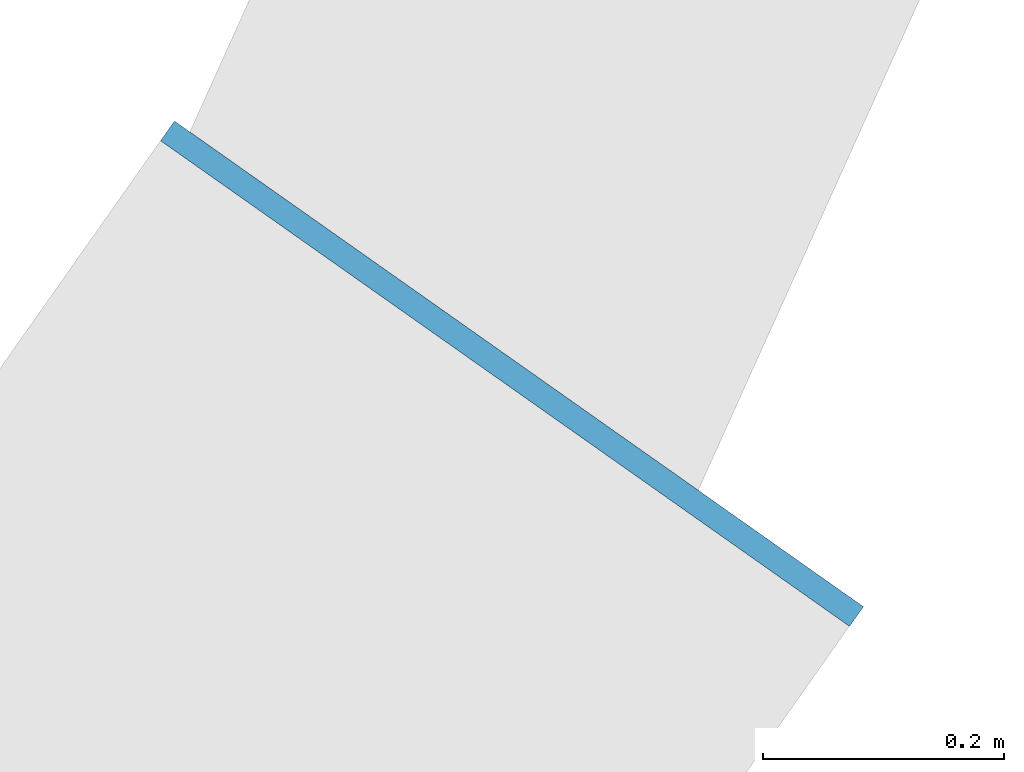
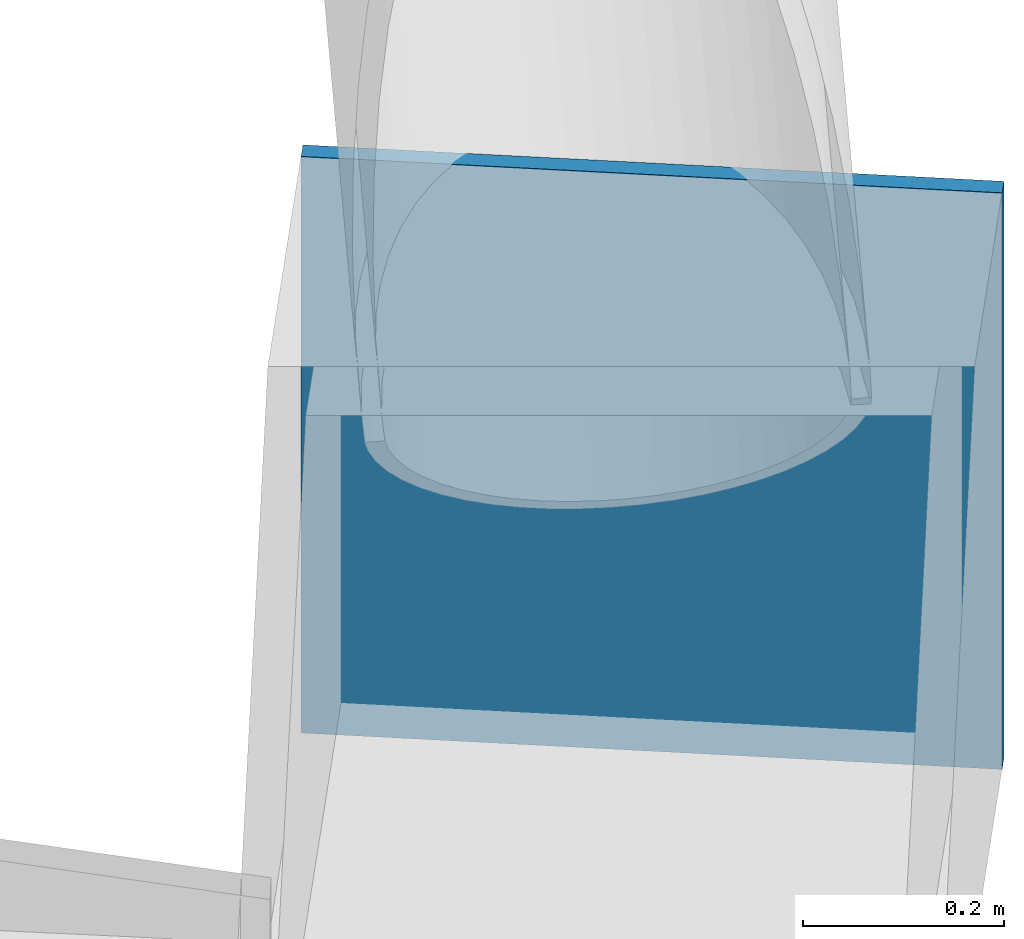
# One storey, part 10 of 18: 1 discrete accessory.
"""IFC4 building model written with IfcOpenShell, lengths in metres."""

from ifc_helpers import new_model, si_unit, direction, frame, origin, origin_2d, place, context, subcontext, project, spatial, rectangle, extrude, material, layer, layer_set, type_object, element, save


model = new_model("IFC4")

# Units and contexts
model_context = context("Model", 3, precision=1e-05, world=origin(), true_north=direction((0.0, 1.0)))
body_context = subcontext(model_context, "Body", "Model", "MODEL_VIEW")
ifc_project = project(units=[si_unit("LENGTHUNIT", "METRE"), si_unit("AREAUNIT", "SQUARE_METRE"), si_unit("VOLUMEUNIT", "CUBIC_METRE"), si_unit("PLANEANGLEUNIT", "RADIAN"), si_unit("MASSUNIT", "GRAM", prefix="KILO")], contexts=[model_context])

# Site, building, storey
site_placement = place(None, origin())
site = spatial("IfcSite", under=ifc_project, at=site_placement, CompositionType="ELEMENT")
building_placement = place(site_placement, origin())
building = spatial("IfcBuilding", under=site, at=building_placement, Name="Siaravel Broadcast Tower", CompositionType="ELEMENT")
storey_placement = place(building_placement, frame((0.0, 0.0, 92.60009765625)))
storey = spatial("IfcBuildingStorey", under=building, at=storey_placement, Name="L21", CompositionType="ELEMENT", Elevation=92.60009765625)

# Discrete accessory
ifc_material = material(Name="Steel S355", Category="steel")
ifc_layer = layer(ifc_material, 0.02001953125)
ifc_layer_set = layer_set([ifc_layer], Name="Steel S355")
discrete_accessory_type = type_object("IfcDiscreteAccessoryType", Name="Steel end plate 20 mm", PredefinedType="USERDEFINED", material=ifc_layer_set)
discrete_accessory_placement = place(storey_placement, frame((25.5400390625, -11.7392578125, -0.55029296875), z_axis=(0.0, 0.0, 1.0), x_axis=(0.576118513, 0.817366172, 0.0)))
element("IfcDiscreteAccessory", 1, at=discrete_accessory_placement, inside=storey, type_object=discrete_accessory_type, Name="End plate R09 station 66A", ObjectType="END PLATE", PredefinedType="USERDEFINED", context=body_context, shape_type="SweptSolid", body=[
    extrude(rectangle(XDim=0.02001953125, YDim=0.699951171875, at=origin_2d()), origin(), (0.0, 0.0, 1.0), 0.699951171875),
])

save(model, "model.ifc")
